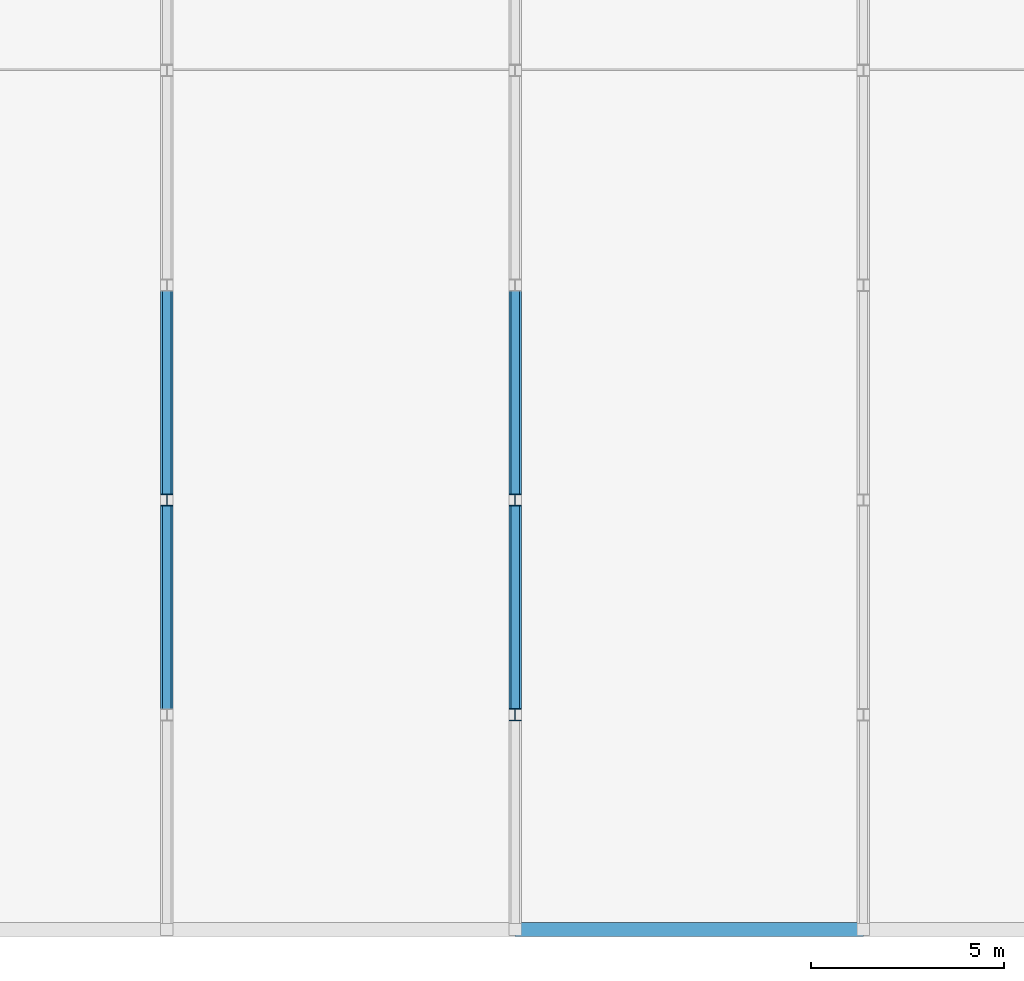
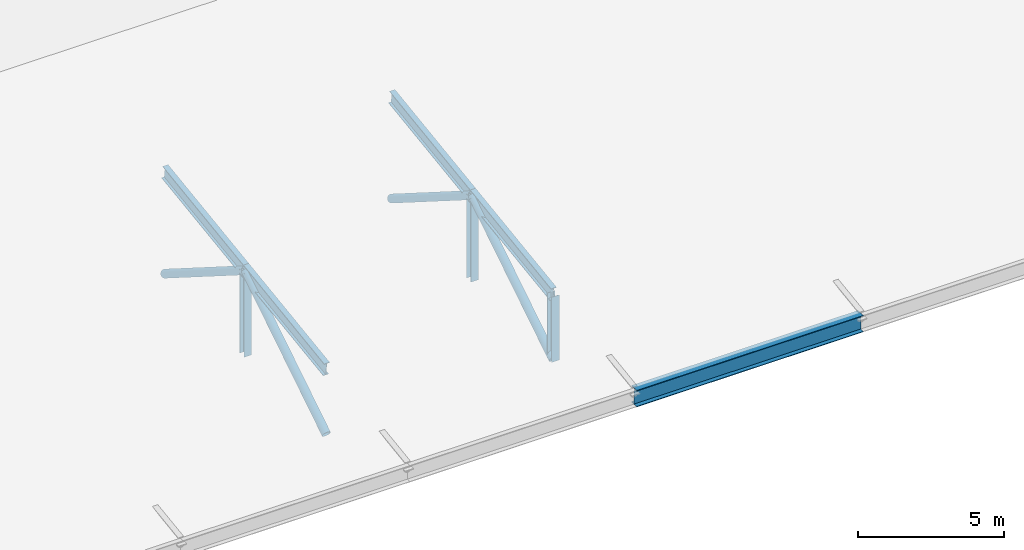
# One storey, part 6 of 103: 11 members, 1 beam.
"""IFC4 building model written with IfcOpenShell, lengths in metres."""

from ifc_helpers import new_model, si_unit, direction, frame, origin, origin_2d, place, context, subcontext, project, spatial, hollow_circle, i_section, extrude, material, material_profile, profile_set, type_object, element, save


model = new_model("IFC4")

# Units and contexts
model_context = context("Model", 3, precision=1e-05, world=origin(), true_north=direction((0.0, 1.0)))
body_context = subcontext(model_context, "Body", "Model", "MODEL_VIEW")
ifc_project = project(units=[si_unit("LENGTHUNIT", "METRE"), si_unit("AREAUNIT", "SQUARE_METRE"), si_unit("VOLUMEUNIT", "CUBIC_METRE"), si_unit("PLANEANGLEUNIT", "RADIAN"), si_unit("MASSUNIT", "GRAM", prefix="KILO")], contexts=[model_context])

# Site, building, storey
site_placement = place(None, origin())
site = spatial("IfcSite", under=ifc_project, at=site_placement, CompositionType="ELEMENT")
building_placement = place(site_placement, origin())
building = spatial("IfcBuilding", under=site, at=building_placement, Name="Cazmaro Siding Exhibition Halls", CompositionType="ELEMENT")
storey_placement = place(building_placement, frame((0.0, 0.0, 16.5)))
storey = spatial("IfcBuildingStorey", under=building, at=storey_placement, Name="L03", CompositionType="ELEMENT", Elevation=16.5)

# Beam
ifc_material_1 = material(Name="Steel ASTM A992 Grade 50", Category="steel")
ifc_material_profile_1 = material_profile(ifc_material_1, i_section(OverallWidth=0.35595703125, OverallDepth=0.696044921875, WebThickness=0.014892578125, FlangeThickness=0.02490234375, at=origin_2d()), Name="W27X146")
ifc_profile_set_1 = profile_set([ifc_material_profile_1], Name="Steel ASTM A992 Grade 50")
beam_type = type_object("IfcBeamType", Name="G-05", PredefinedType="USERDEFINED", material=ifc_profile_set_1)
beam_placement = place(storey_placement, frame((27.0, 9.0, 0.35205078125), z_axis=(1.0, 0.0, 0.0), x_axis=(0.0, 1.0, 0.0)))
element("IfcBeam", 1, at=beam_placement, inside=storey, type_object=beam_type, Name="Beam G-05 BM-1735", ObjectType="GIRDER", PredefinedType="USERDEFINED", context=body_context, shape_type="SweptSolid", body=[
    extrude(i_section(OverallWidth=0.35595703125, OverallDepth=0.696044921875, WebThickness=0.014892578125, FlangeThickness=0.02490234375, at=origin_2d()), origin(), (0.0, 0.0, 1.0), 9.0),
])

# Members
ifc_material_2 = material(Name="Steel ASTM A992 Grade 50", Category="steel")
ifc_material_profile_2 = material_profile(ifc_material_2, i_section(OverallWidth=0.214111328125, OverallDepth=0.549072265625, WebThickness=0.014892578125, FlangeThickness=0.02392578125, at=origin_2d()), Name="W21X93")
ifc_profile_set_2 = profile_set([ifc_material_profile_2], Name="Steel ASTM A992 Grade 50")
member_type_1 = type_object("IfcMemberType", Name="TC-04", PredefinedType="CHORD", material=ifc_profile_set_2)
member_1_placement = place(storey_placement, frame((18.0, 14.550048828125, 1.280029296875), z_axis=(0.0, 0.990267557209, 0.139176740654), x_axis=(-1.0, 0.0, 0.0)))
element("IfcMember", 2, at=member_1_placement, inside=storey, type_object=member_type_1, Name="Congress folded roof top chord TC-04 MEM-3278", PredefinedType="CHORD", context=body_context, shape_type="SweptSolid", body=[
    extrude(i_section(OverallWidth=0.214111328125, OverallDepth=0.549072265625, WebThickness=0.014892578125, FlangeThickness=0.02392578125, at=origin_2d()), origin(), (0.0, 0.0, 1.0), 5.6044921875),
])
member_2_placement = place(storey_placement, frame((18.0, 20.10009765625, 2.06005859375), z_axis=(0.0, 0.990266713375, 0.139182744555), x_axis=(-1.0, 0.0, 0.0)))
element("IfcMember", 3, at=member_2_placement, inside=storey, type_object=member_type_1, Name="Congress folded roof top chord TC-04 MEM-3281", PredefinedType="CHORD", context=body_context, shape_type="SweptSolid", body=[
    extrude(i_section(OverallWidth=0.214111328125, OverallDepth=0.549072265625, WebThickness=0.014892578125, FlangeThickness=0.02392578125, at=origin_2d()), origin(), (0.0, 0.0, 1.0), 5.604248046875),
])
member_3_placement = place(storey_placement, frame((27.0, 14.550048828125, 1.280029296875), z_axis=(0.0, 0.990267557209, 0.139176740654), x_axis=(-1.0, 0.0, 0.0)))
element("IfcMember", 4, at=member_3_placement, inside=storey, type_object=member_type_1, Name="Congress folded roof top chord TC-04 MEM-3309", PredefinedType="CHORD", context=body_context, shape_type="SweptSolid", body=[
    extrude(i_section(OverallWidth=0.214111328125, OverallDepth=0.549072265625, WebThickness=0.014892578125, FlangeThickness=0.02392578125, at=origin_2d()), origin(), (0.0, 0.0, 1.0), 5.6044921875),
])
member_4_placement = place(storey_placement, frame((27.0, 20.10009765625, 2.06005859375), z_axis=(0.0, 0.990266713375, 0.139182744555), x_axis=(-1.0, 0.0, 0.0)))
element("IfcMember", 5, at=member_4_placement, inside=storey, type_object=member_type_1, Name="Congress folded roof top chord TC-04 MEM-3312", PredefinedType="CHORD", context=body_context, shape_type="SweptSolid", body=[
    extrude(i_section(OverallWidth=0.214111328125, OverallDepth=0.549072265625, WebThickness=0.014892578125, FlangeThickness=0.02392578125, at=origin_2d()), origin(), (0.0, 0.0, 1.0), 5.604248046875),
])
ifc_material_3 = material(Name="Steel ASTM A992 Grade 50", Category="steel")
ifc_material_profile_3 = material_profile(ifc_material_3, i_section(OverallWidth=0.304931640625, OverallDepth=0.306884765625, WebThickness=0.010009765625, FlangeThickness=0.014892578125, at=origin_2d()), Name="W12X65")
ifc_profile_set_3 = profile_set([ifc_material_profile_3], Name="Steel ASTM A992 Grade 50")
member_type_2 = type_object("IfcMemberType", Name="TP-03", PredefinedType="POST", material=ifc_profile_set_3)
member_5_placement = place(storey_placement, frame((18.0, 20.10009765625, -1.449951171875), z_axis=(0.0, 0.0, 1.0), x_axis=(1.0, 0.0, 0.0)))
element("IfcMember", 6, at=member_5_placement, inside=storey, type_object=member_type_2, Name="Congress roof post TP-03 MEM-3300", PredefinedType="POST", context=body_context, shape_type="SweptSolid", body=[
    extrude(i_section(OverallWidth=0.304931640625, OverallDepth=0.306884765625, WebThickness=0.010009765625, FlangeThickness=0.014892578125, at=origin_2d()), origin(), (0.0, 0.0, 1.0), 3.510009765625),
])
member_6_placement = place(storey_placement, frame((27.0, 14.550048828125, -1.449951171875), z_axis=(0.0, 0.0, 1.0), x_axis=(1.0, 0.0, 0.0)))
element("IfcMember", 7, at=member_6_placement, inside=storey, type_object=member_type_2, Name="Congress roof post TP-03 MEM-3330", PredefinedType="POST", context=body_context, shape_type="SweptSolid", body=[
    extrude(i_section(OverallWidth=0.304931640625, OverallDepth=0.306884765625, WebThickness=0.010009765625, FlangeThickness=0.014892578125, at=origin_2d()), origin(), (0.0, 0.0, 1.0), 2.72998046875),
])
member_7_placement = place(storey_placement, frame((27.0, 20.10009765625, -1.449951171875), z_axis=(0.0, 0.0, 1.0), x_axis=(1.0, 0.0, 0.0)))
element("IfcMember", 8, at=member_7_placement, inside=storey, type_object=member_type_2, Name="Congress roof post TP-03 MEM-3331", PredefinedType="POST", context=body_context, shape_type="SweptSolid", body=[
    extrude(i_section(OverallWidth=0.304931640625, OverallDepth=0.306884765625, WebThickness=0.010009765625, FlangeThickness=0.014892578125, at=origin_2d()), origin(), (0.0, 0.0, 1.0), 3.510009765625),
])
ifc_material_4 = material(Name="Steel ASTM A500 Grade C", Category="steel")
ifc_material_profile_4 = material_profile(ifc_material_4, hollow_circle(Radius=0.162109375, WallThickness=0.012939453125, at=origin_2d()), Name="PIPE12XS")
ifc_profile_set_4 = profile_set([ifc_material_profile_4], Name="Steel ASTM A500 Grade C")
member_type_3 = type_object("IfcMemberType", Name="WB-03", PredefinedType="BRACE", material=ifc_profile_set_4)
member_8_placement = place(storey_placement, frame((18.0, 14.550048828125, -1.449951171875), z_axis=(0.0, 0.845164526711, 0.53450624205), x_axis=(-1.0, 0.0, 0.0)))
element("IfcMember", 9, at=member_8_placement, inside=storey, type_object=member_type_3, Name="Congress roof diagonal WB-03 MEM-3280", PredefinedType="BRACE", context=body_context, shape_type="SweptSolid", body=[
    extrude(hollow_circle(Radius=0.162109375, WallThickness=0.012939453125, at=origin_2d()), origin(), (0.0, 0.0, 1.0), 6.56689453125),
])
member_9_placement = place(storey_placement, frame((18.0, 20.10009765625, 2.06005859375), z_axis=(0.0, 0.845153904607, -0.534523037416), x_axis=(-1.0, 0.0, 0.0)))
element("IfcMember", 10, at=member_9_placement, inside=storey, type_object=member_type_3, Name="Congress roof diagonal WB-03 MEM-3283", PredefinedType="BRACE", context=body_context, shape_type="SweptSolid", body=[
    extrude(hollow_circle(Radius=0.162109375, WallThickness=0.012939453125, at=origin_2d()), origin(), (0.0, 0.0, 1.0), 6.566650390625),
])
member_10_placement = place(storey_placement, frame((27.0, 14.550048828125, -1.449951171875), z_axis=(0.0, 0.845164526711, 0.53450624205), x_axis=(-1.0, 0.0, 0.0)))
element("IfcMember", 11, at=member_10_placement, inside=storey, type_object=member_type_3, Name="Congress roof diagonal WB-03 MEM-3311", PredefinedType="BRACE", context=body_context, shape_type="SweptSolid", body=[
    extrude(hollow_circle(Radius=0.162109375, WallThickness=0.012939453125, at=origin_2d()), origin(), (0.0, 0.0, 1.0), 6.56689453125),
])
member_11_placement = place(storey_placement, frame((27.0, 20.10009765625, 2.06005859375), z_axis=(0.0, 0.845153904607, -0.534523037416), x_axis=(-1.0, 0.0, 0.0)))
element("IfcMember", 12, at=member_11_placement, inside=storey, type_object=member_type_3, Name="Congress roof diagonal WB-03 MEM-3314", PredefinedType="BRACE", context=body_context, shape_type="SweptSolid", body=[
    extrude(hollow_circle(Radius=0.162109375, WallThickness=0.012939453125, at=origin_2d()), origin(), (0.0, 0.0, 1.0), 6.566650390625),
])

save(model, "model.ifc")
